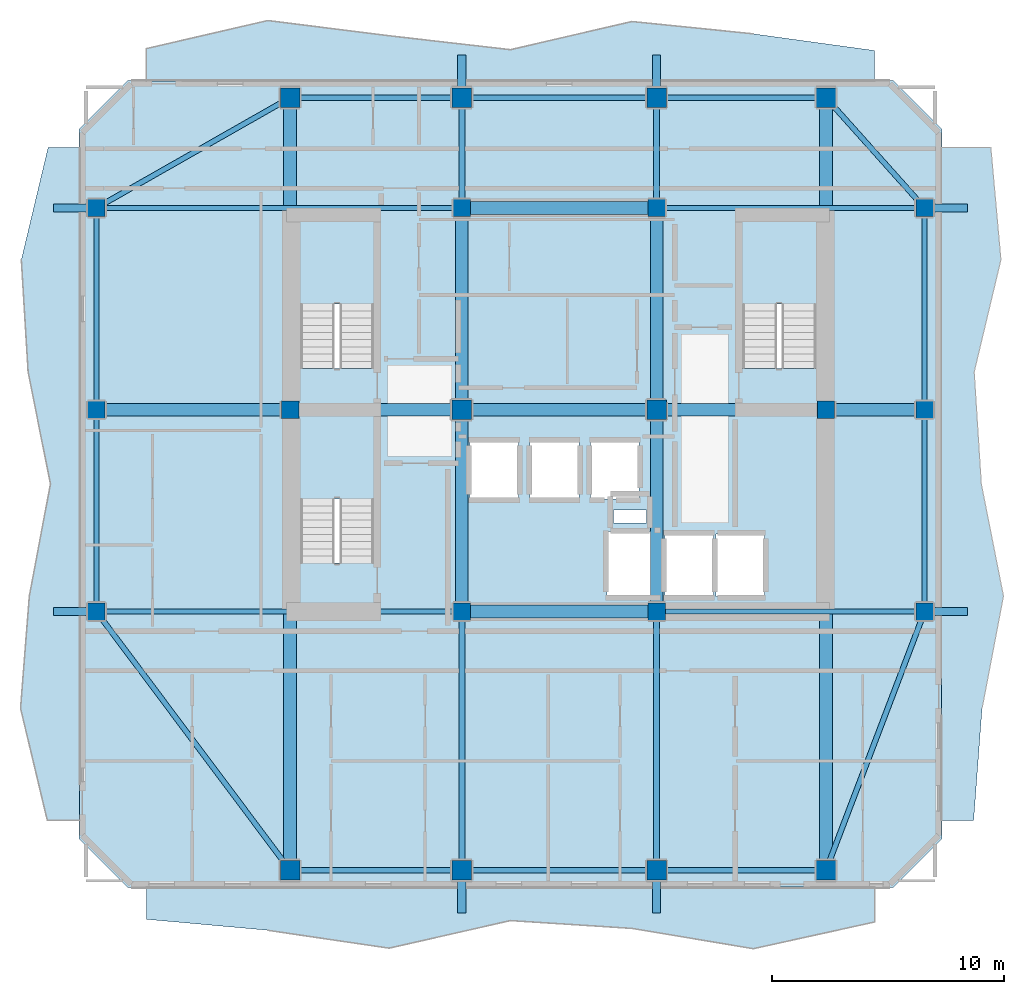
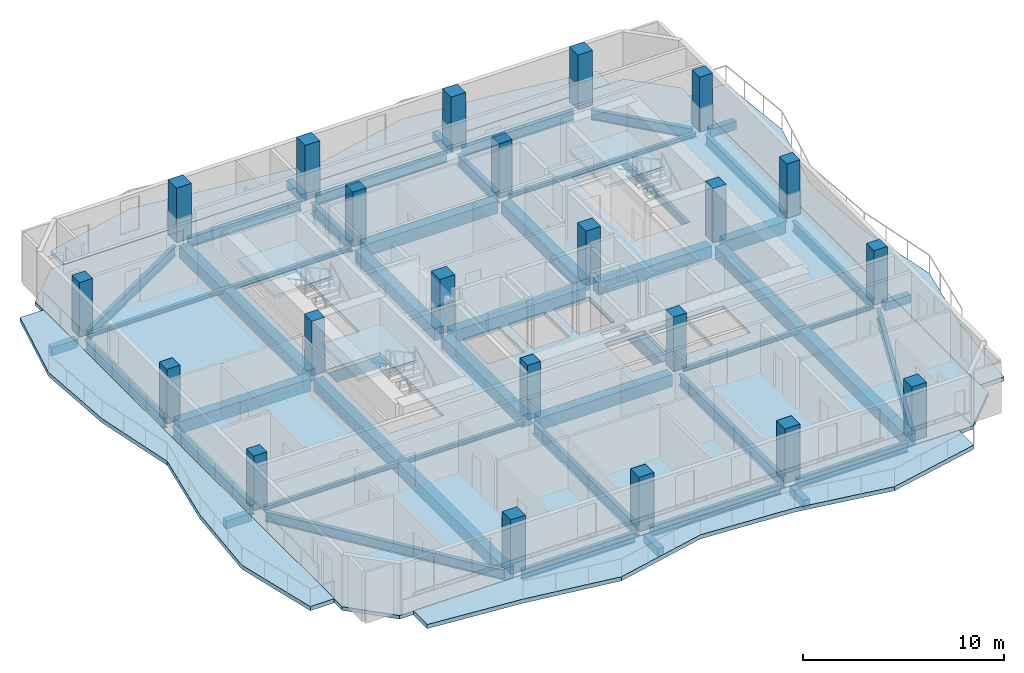
# One storey, part 1 of 10: 45 beams, 22 columns, 8 slabs, 3 elements without a shape of their own.
"""IFC4 building model written with IfcOpenShell, lengths in metres."""

from ifc_helpers import new_model, si_unit, direction, frame, origin, origin_2d, place, context, subcontext, project, spatial, polyline, rectangle, i_section, outline, extrude, material, layer, layer_set, material_profile, profile_set, type_object, element, aggregate, save


model = new_model("IFC4")

# Units and contexts
model_context = context("Model", 3, precision=1e-05, world=origin(), true_north=direction((0.0, 1.0)))
body_context = subcontext(model_context, "Body", "Model", "MODEL_VIEW")
ifc_project = project(units=[si_unit("LENGTHUNIT", "METRE"), si_unit("AREAUNIT", "SQUARE_METRE"), si_unit("VOLUMEUNIT", "CUBIC_METRE"), si_unit("PLANEANGLEUNIT", "RADIAN"), si_unit("MASSUNIT", "GRAM", prefix="KILO")], contexts=[model_context])

# Site, building, storey
site_placement = place(None, origin())
site = spatial("IfcSite", under=ifc_project, at=site_placement, CompositionType="ELEMENT")
building_placement = place(site_placement, origin())
building = spatial("IfcBuilding", under=site, at=building_placement, Name="Solanera Arch Residences", CompositionType="ELEMENT")
storey_placement = place(building_placement, frame((0.0, 0.0, 196.800048828125)))
storey = spatial("IfcBuildingStorey", under=building, at=storey_placement, Name="L57", CompositionType="ELEMENT", Elevation=196.800048828125)

# Columns
ifc_material_1 = material(Name="Concrete C40/50 (f'c = 45 MPa)", Category="concrete")
ifc_material_profile_1 = material_profile(ifc_material_1, rectangle(XDim=0.75, YDim=0.75, at=origin_2d()))
ifc_profile_set_1 = profile_set([ifc_material_profile_1], Name="Concrete C40/50 (f'c = 45 MPa)")
column_type_1 = type_object("IfcColumnType", Name="Structural Column RC-COL-750X750", PredefinedType="COLUMN", material=ifc_profile_set_1)
for number, where, z_axis, x_axis, name in (
    (1, (20.800048828125, 22.0, 0.0), (0.0, 0.0, 1.0), (1.0, 0.0, 0.0), "COL-L57-CB-SW"),
    (2, (29.199951171875, 22.0, 0.0), (0.0, 0.0, 1.0), (1.0, 0.0, 0.0), "COL-L57-CB-SE"),
    (3, (20.800048828125, 39.39990234375, 0.0), (0.0, 0.0, 1.0), (1.0, 0.0, 0.0), "COL-L57-CB-NW"),
    (4, (29.199951171875, 39.39990234375, 0.0), (0.0, 0.0, 1.0), (1.0, 0.0, 0.0), "COL-L57-CB-NE"),
    (5, (13.39990234375, 30.699951171875, 0.0), (0.0, 0.0, 1.0), (1.0, 0.0, 0.0), "COL-L57-CB-WW"),
    (6, (36.5, 30.699951171875, 0.0), (0.0, 0.0, 1.0), (1.0, 0.0, 0.0), "COL-L57-CB-EE"),
    (7, (5.050048828125, 22.0, 0.0), (0.0, 0.0, 1.0), (1.0, 0.0, 0.0), "COL-L57-TWR-09"),
    (8, (40.75, 22.0, 0.0), (0.0, 0.0, 1.0), (1.0, 0.0, 0.0), "COL-L57-TWR-10"),
    (9, (5.050048828125, 30.699951171875, 0.0), (0.0, 0.0, 1.0), (1.0, 0.0, 0.0), "COL-L57-TWR-11"),
    (10, (40.75, 30.699951171875, 0.0), (0.0, 0.0, 1.0), (1.0, 0.0, 0.0), "COL-L57-TWR-12"),
    (11, (5.050048828125, 39.39990234375, 0.0), (0.0, 0.0, 1.0), (1.0, 0.0, 0.0), "COL-L57-TWR-13"),
    (12, (40.75, 39.39990234375, 0.0), (0.0, 0.0, 1.0), (1.0, 0.0, 0.0), "COL-L57-TWR-14"),
):
    element("IfcColumn", number, at=place(storey_placement, frame(where, z_axis=z_axis, x_axis=x_axis)), inside=storey, type_object=column_type_1, Name=name, PredefinedType="COLUMN", context=body_context, shape_type="SweptSolid", body=[
        extrude(rectangle(XDim=0.75, YDim=0.75, at=origin_2d()), origin(), (0.0, 0.0, 1.0), 3.320068359375),
    ])
ifc_material_2 = material(Name="Concrete C40/50 (f'c = 45 MPa)", Category="concrete")
ifc_material_profile_2 = material_profile(ifc_material_2, rectangle(XDim=0.85009765625, YDim=0.85009765625, at=origin_2d()))
ifc_profile_set_2 = profile_set([ifc_material_profile_2], Name="Concrete C40/50 (f'c = 45 MPa)")
column_type_2 = type_object("IfcColumnType", Name="Structural Column RC-COL-850X850", PredefinedType="COLUMN", material=ifc_profile_set_2)
for number, where, z_axis, x_axis, name in (
    (13, (20.800048828125, 30.699951171875, 0.0), (0.0, 0.0, 1.0), (1.0, 0.0, 0.0), "COL-L57-CORE-W"),
    (14, (29.199951171875, 30.699951171875, 0.0), (0.0, 0.0, 1.0), (1.0, 0.0, 0.0), "COL-L57-CORE-E"),
    (15, (13.39990234375, 10.85009765625, 0.0), (0.0, 0.0, 1.0), (1.0, 0.0, 0.0), "COL-L57-TWR-01"),
    (16, (13.39990234375, 44.14990234375, 0.0), (0.0, 0.0, 1.0), (1.0, 0.0, 0.0), "COL-L57-TWR-02"),
    (17, (20.800048828125, 10.85009765625, 0.0), (0.0, 0.0, 1.0), (1.0, 0.0, 0.0), "COL-L57-TWR-03"),
    (18, (20.800048828125, 44.14990234375, 0.0), (0.0, 0.0, 1.0), (1.0, 0.0, 0.0), "COL-L57-TWR-04"),
    (19, (29.199951171875, 10.85009765625, 0.0), (0.0, 0.0, 1.0), (1.0, 0.0, 0.0), "COL-L57-TWR-05"),
    (20, (29.199951171875, 44.14990234375, 0.0), (0.0, 0.0, 1.0), (1.0, 0.0, 0.0), "COL-L57-TWR-06"),
    (21, (36.5, 10.85009765625, 0.0), (0.0, 0.0, 1.0), (1.0, 0.0, 0.0), "COL-L57-TWR-07"),
    (22, (36.5, 44.14990234375, 0.0), (0.0, 0.0, 1.0), (1.0, 0.0, 0.0), "COL-L57-TWR-08"),
):
    element("IfcColumn", number, at=place(storey_placement, frame(where, z_axis=z_axis, x_axis=x_axis)), inside=storey, type_object=column_type_2, Name=name, PredefinedType="COLUMN", context=body_context, shape_type="SweptSolid", body=[
        extrude(rectangle(XDim=0.85009765625, YDim=0.85009765625, at=origin_2d()), origin(), (0.0, 0.0, 1.0), 3.320068359375),
    ])

# Beams
ifc_material_3 = material(Name="Concrete C40/50 (f'c = 45 MPa)", Category="concrete")
ifc_material_profile_3 = material_profile(ifc_material_3, rectangle(XDim=0.35009765625, YDim=0.5, at=origin_2d()))
ifc_profile_set_3 = profile_set([ifc_material_profile_3], Name="Concrete C40/50 (f'c = 45 MPa)")
beam_type_1 = type_object("IfcBeamType", Name="BM-BALC-RIB", PredefinedType="BEAM", material=ifc_profile_set_3)
for number, where, z_axis, x_axis, name in (
    (23, (20.800048828125, 9.0, -0.5), (0.0, 1.0, 0.0), (-1.0, 0.0, 0.0), "BM-L57-BRIB-S1"),
    (24, (29.199951171875, 9.0, -0.5), (0.0, 1.0, 0.0), (-1.0, 0.0, 0.0), "BM-L57-BRIB-S2"),
    (25, (20.800048828125, 44.574951171875, -0.5), (0.0, 1.0, 0.0), (-1.0, 0.0, 0.0), "BM-L57-BRIB-N1"),
    (26, (29.199951171875, 44.574951171875, -0.5), (0.0, 1.0, 0.0), (-1.0, 0.0, 0.0), "BM-L57-BRIB-N2"),
):
    element("IfcBeam", number, at=place(storey_placement, frame(where, z_axis=z_axis, x_axis=x_axis)), inside=storey, type_object=beam_type_1, Name=name, PredefinedType="BEAM", context=body_context, shape_type="SweptSolid", body=[
        extrude(rectangle(XDim=0.35009765625, YDim=0.5, at=origin_2d()), origin(), (0.0, 0.0, 1.0), 1.425048828125),
    ])
for number, where, z_axis, x_axis, name in (
    (27, (41.125, 22.0, -0.5), (1.0, 0.0, 0.0), (0.0, 1.0, 0.0), "BM-L57-BRIB-E1"),
    (28, (41.125, 39.39990234375, -0.5), (1.0, 0.0, 0.0), (0.0, 1.0, 0.0), "BM-L57-BRIB-E2"),
    (29, (3.199951171875, 22.0, -0.5), (1.0, 0.0, 0.0), (0.0, 1.0, 0.0), "BM-L57-BRIB-W1"),
    (30, (3.199951171875, 39.39990234375, -0.5), (1.0, 0.0, 0.0), (0.0, 1.0, 0.0), "BM-L57-BRIB-W2"),
):
    element("IfcBeam", number, at=place(storey_placement, frame(where, z_axis=z_axis, x_axis=x_axis)), inside=storey, type_object=beam_type_1, Name=name, PredefinedType="BEAM", context=body_context, shape_type="SweptSolid", body=[
        extrude(rectangle(XDim=0.35009765625, YDim=0.5, at=origin_2d()), origin(), (0.0, 0.0, 1.0), 1.47509765625),
    ])
ifc_material_4 = material(Name="Concrete C40/50 (f'c = 45 MPa)", Category="concrete")
ifc_material_profile_4 = material_profile(ifc_material_4, rectangle(XDim=0.550048828125, YDim=0.75, at=origin_2d()))
ifc_profile_set_4 = profile_set([ifc_material_profile_4], Name="Concrete C40/50 (f'c = 45 MPa)")
beam_type_2 = type_object("IfcBeamType", Name="Primary Beam RC-BM-550X750", PredefinedType="BEAM", material=ifc_profile_set_4)
beam_1_placement = place(storey_placement, frame((20.800048828125, 22.37890625, -0.594970703125), z_axis=(0.0, 1.0, 0.0), x_axis=(-1.0, 0.0, 0.0)))
element("IfcBeam", 31, at=beam_1_placement, inside=storey, type_object=beam_type_2, Name="BM-L57-CC-S-208", PredefinedType="BEAM", context=body_context, shape_type="SweptSolid", body=[
    extrude(rectangle(XDim=0.550048828125, YDim=0.75, at=origin_2d()), origin(), (0.0, 0.0, 1.0), 7.942138671875),
])
beam_2_placement = place(storey_placement, frame((20.800048828125, 31.0791015625, -0.594970703125), z_axis=(0.0, 1.0, 0.0), x_axis=(-1.0, 0.0, 0.0)))
element("IfcBeam", 32, at=beam_2_placement, inside=storey, type_object=beam_type_2, Name="BM-L57-CC-N-208", PredefinedType="BEAM", context=body_context, shape_type="SweptSolid", body=[
    extrude(rectangle(XDim=0.550048828125, YDim=0.75, at=origin_2d()), origin(), (0.0, 0.0, 1.0), 7.94189453125),
])
beam_3_placement = place(storey_placement, frame((29.199951171875, 22.37890625, -0.594970703125), z_axis=(0.0, 1.0, 0.0), x_axis=(-1.0, 0.0, 0.0)))
element("IfcBeam", 33, at=beam_3_placement, inside=storey, type_object=beam_type_2, Name="BM-L57-CC-S-292", PredefinedType="BEAM", context=body_context, shape_type="SweptSolid", body=[
    extrude(rectangle(XDim=0.550048828125, YDim=0.75, at=origin_2d()), origin(), (0.0, 0.0, 1.0), 7.942138671875),
])
beam_4_placement = place(storey_placement, frame((29.199951171875, 31.0791015625, -0.594970703125), z_axis=(0.0, 1.0, 0.0), x_axis=(-1.0, 0.0, 0.0)))
element("IfcBeam", 34, at=beam_4_placement, inside=storey, type_object=beam_type_2, Name="BM-L57-CC-N-292", PredefinedType="BEAM", context=body_context, shape_type="SweptSolid", body=[
    extrude(rectangle(XDim=0.550048828125, YDim=0.75, at=origin_2d()), origin(), (0.0, 0.0, 1.0), 7.94189453125),
])
for number, where, z_axis, x_axis, name in (
    (35, (21.178955078125, 22.0, -0.594970703125), (1.0, 0.0, 0.0), (0.0, 1.0, 0.0), "BM-L57-CC-M-220"),
    (36, (21.178955078125, 30.699951171875, -0.594970703125), (1.0, 0.0, 0.0), (0.0, 1.0, 0.0), "BM-L57-CC-M-307"),
    (37, (21.178955078125, 39.39990234375, -0.594970703125), (1.0, 0.0, 0.0), (0.0, 1.0, 0.0), "BM-L57-CC-M-394"),
):
    element("IfcBeam", number, at=place(storey_placement, frame(where, z_axis=z_axis, x_axis=x_axis)), inside=storey, type_object=beam_type_2, Name=name, PredefinedType="BEAM", context=body_context, shape_type="SweptSolid", body=[
        extrude(rectangle(XDim=0.550048828125, YDim=0.75, at=origin_2d()), origin(), (0.0, 0.0, 1.0), 7.64208984375),
    ])
beam_5_placement = place(storey_placement, frame((13.779052734375, 30.699951171875, -0.594970703125), z_axis=(1.0, 0.0, 0.0), x_axis=(0.0, 1.0, 0.0)))
element("IfcBeam", 38, at=beam_5_placement, inside=storey, type_object=beam_type_2, Name="BM-L57-CC-W", PredefinedType="BEAM", context=body_context, shape_type="SweptSolid", body=[
    extrude(rectangle(XDim=0.550048828125, YDim=0.75, at=origin_2d()), origin(), (0.0, 0.0, 1.0), 6.641845703125),
])
beam_6_placement = place(storey_placement, frame((29.5791015625, 30.699951171875, -0.594970703125), z_axis=(1.0, 0.0, 0.0), x_axis=(0.0, 1.0, 0.0)))
element("IfcBeam", 39, at=beam_6_placement, inside=storey, type_object=beam_type_2, Name="BM-L57-CC-E", PredefinedType="BEAM", context=body_context, shape_type="SweptSolid", body=[
    extrude(rectangle(XDim=0.550048828125, YDim=0.75, at=origin_2d()), origin(), (0.0, 0.0, 1.0), 6.5419921875),
])
beam_7_placement = place(storey_placement, frame((13.39990234375, 11.279052734375, -0.594970703125), z_axis=(0.0, 1.0, 0.0), x_axis=(-1.0, 0.0, 0.0)))
element("IfcBeam", 40, at=beam_7_placement, inside=storey, type_object=beam_type_2, Name="BM-L57-RAD-OS-134", PredefinedType="BEAM", context=body_context, shape_type="SweptSolid", body=[
    extrude(rectangle(XDim=0.550048828125, YDim=0.75, at=origin_2d()), origin(), (0.0, 0.0, 1.0), 19.0419921875),
])
beam_8_placement = place(storey_placement, frame((13.39990234375, 31.0791015625, -0.594970703125), z_axis=(0.0, 1.0, 0.0), x_axis=(-1.0, 0.0, 0.0)))
element("IfcBeam", 41, at=beam_8_placement, inside=storey, type_object=beam_type_2, Name="BM-L57-RAD-ON-134", PredefinedType="BEAM", context=body_context, shape_type="SweptSolid", body=[
    extrude(rectangle(XDim=0.550048828125, YDim=0.75, at=origin_2d()), origin(), (0.0, 0.0, 1.0), 12.641845703125),
])
beam_9_placement = place(storey_placement, frame((36.5, 11.279052734375, -0.594970703125), z_axis=(0.0, 1.0, 0.0), x_axis=(-1.0, 0.0, 0.0)))
element("IfcBeam", 42, at=beam_9_placement, inside=storey, type_object=beam_type_2, Name="BM-L57-RAD-OS-365", PredefinedType="BEAM", context=body_context, shape_type="SweptSolid", body=[
    extrude(rectangle(XDim=0.550048828125, YDim=0.75, at=origin_2d()), origin(), (0.0, 0.0, 1.0), 19.0419921875),
])
beam_10_placement = place(storey_placement, frame((36.5, 31.0791015625, -0.594970703125), z_axis=(0.0, 1.0, 0.0), x_axis=(-1.0, 0.0, 0.0)))
element("IfcBeam", 43, at=beam_10_placement, inside=storey, type_object=beam_type_2, Name="BM-L57-RAD-ON-365", PredefinedType="BEAM", context=body_context, shape_type="SweptSolid", body=[
    extrude(rectangle(XDim=0.550048828125, YDim=0.75, at=origin_2d()), origin(), (0.0, 0.0, 1.0), 12.641845703125),
])
beam_11_placement = place(storey_placement, frame((5.428955078125, 30.699951171875, -0.594970703125), z_axis=(1.0, 0.0, 0.0), x_axis=(0.0, 1.0, 0.0)))
element("IfcBeam", 44, at=beam_11_placement, inside=storey, type_object=beam_type_2, Name="BM-L57-RAD-MW", PredefinedType="BEAM", context=body_context, shape_type="SweptSolid", body=[
    extrude(rectangle(XDim=0.550048828125, YDim=0.75, at=origin_2d()), origin(), (0.0, 0.0, 1.0), 7.592041015625),
])
beam_12_placement = place(storey_placement, frame((36.87890625, 30.699951171875, -0.594970703125), z_axis=(1.0, 0.0, 0.0), x_axis=(0.0, 1.0, 0.0)))
element("IfcBeam", 45, at=beam_12_placement, inside=storey, type_object=beam_type_2, Name="BM-L57-RAD-ME", PredefinedType="BEAM", context=body_context, shape_type="SweptSolid", body=[
    extrude(rectangle(XDim=0.550048828125, YDim=0.75, at=origin_2d()), origin(), (0.0, 0.0, 1.0), 3.4921875),
])
ifc_material_5 = material(Name="Steel S355 (ASTM A992 / A572 Grade 50)", Category="steel")
ifc_material_profile_5 = material_profile(ifc_material_5, i_section(OverallWidth=0.256103515625, OverallDepth=0.693115234375, WebThickness=0.014404296875, FlangeThickness=0.023681640625, at=origin_2d()))
ifc_profile_set_5 = profile_set([ifc_material_profile_5], Name="Steel S355 (ASTM A992 / A572 Grade 50)")
beam_type_3 = type_object("IfcBeamType", Name="Primary Beam W690X170", PredefinedType="BEAM", material=ifc_profile_set_5)
beam_13_placement = place(storey_placement, frame((20.800048828125, 11.279052734375, -0.566162109375), z_axis=(0.0, 1.0, 0.0), x_axis=(-1.0, 0.0, 0.0)))
element("IfcBeam", 46, at=beam_13_placement, inside=storey, type_object=beam_type_3, Name="BM-L57-RAD-S-208", PredefinedType="BEAM", context=body_context, shape_type="SweptSolid", body=[
    extrude(i_section(OverallWidth=0.256103515625, OverallDepth=0.693115234375, WebThickness=0.014404296875, FlangeThickness=0.023681640625, at=origin_2d()), origin(), (0.0, 0.0, 1.0), 10.342041015625),
])
beam_14_placement = place(storey_placement, frame((20.800048828125, 39.779052734375, -0.566162109375), z_axis=(0.0, 1.0, 0.0), x_axis=(-1.0, 0.0, 0.0)))
element("IfcBeam", 47, at=beam_14_placement, inside=storey, type_object=beam_type_3, Name="BM-L57-RAD-N-208", PredefinedType="BEAM", context=body_context, shape_type="SweptSolid", body=[
    extrude(i_section(OverallWidth=0.256103515625, OverallDepth=0.693115234375, WebThickness=0.014404296875, FlangeThickness=0.023681640625, at=origin_2d()), origin(), (0.0, 0.0, 1.0), 3.94189453125),
])
beam_15_placement = place(storey_placement, frame((29.199951171875, 11.279052734375, -0.566162109375), z_axis=(0.0, 1.0, 0.0), x_axis=(-1.0, 0.0, 0.0)))
element("IfcBeam", 48, at=beam_15_placement, inside=storey, type_object=beam_type_3, Name="BM-L57-RAD-S-292", PredefinedType="BEAM", context=body_context, shape_type="SweptSolid", body=[
    extrude(i_section(OverallWidth=0.256103515625, OverallDepth=0.693115234375, WebThickness=0.014404296875, FlangeThickness=0.023681640625, at=origin_2d()), origin(), (0.0, 0.0, 1.0), 10.342041015625),
])
beam_16_placement = place(storey_placement, frame((29.199951171875, 39.779052734375, -0.566162109375), z_axis=(0.0, 1.0, 0.0), x_axis=(-1.0, 0.0, 0.0)))
element("IfcBeam", 49, at=beam_16_placement, inside=storey, type_object=beam_type_3, Name="BM-L57-RAD-N-292", PredefinedType="BEAM", context=body_context, shape_type="SweptSolid", body=[
    extrude(i_section(OverallWidth=0.256103515625, OverallDepth=0.693115234375, WebThickness=0.014404296875, FlangeThickness=0.023681640625, at=origin_2d()), origin(), (0.0, 0.0, 1.0), 3.94189453125),
])
ifc_material_6 = material(Name="Steel S355 (ASTM A992 / A572 Grade 50)", Category="steel")
ifc_material_profile_6 = material_profile(ifc_material_6, i_section(OverallWidth=0.201904296875, OverallDepth=0.2470703125, WebThickness=0.00732421875, FlangeThickness=0.010986328125, at=origin_2d()))
ifc_profile_set_6 = profile_set([ifc_material_profile_6], Name="Steel S355 (ASTM A992 / A572 Grade 50)")
beam_type_4 = type_object("IfcBeamType", Name="Secondary Joist W250X49.1", PredefinedType="JOIST", material=ifc_profile_set_6)
beam_17_placement = place(storey_placement, frame((5.428955078125, 22.0, -0.343017578125), z_axis=(1.0, 0.0, 0.0), x_axis=(0.0, 1.0, 0.0)))
element("IfcBeam", 50, at=beam_17_placement, inside=storey, type_object=beam_type_4, Name="BM-L57-RAD-W-220", PredefinedType="JOIST", context=body_context, shape_type="SweptSolid", body=[
    extrude(i_section(OverallWidth=0.201904296875, OverallDepth=0.2470703125, WebThickness=0.00732421875, FlangeThickness=0.010986328125, at=origin_2d()), origin(), (0.0, 0.0, 1.0), 14.991943359375),
])
beam_18_placement = place(storey_placement, frame((29.5791015625, 22.0, -0.343017578125), z_axis=(1.0, 0.0, 0.0), x_axis=(0.0, 1.0, 0.0)))
element("IfcBeam", 51, at=beam_18_placement, inside=storey, type_object=beam_type_4, Name="BM-L57-RAD-E-220", PredefinedType="JOIST", context=body_context, shape_type="SweptSolid", body=[
    extrude(i_section(OverallWidth=0.201904296875, OverallDepth=0.2470703125, WebThickness=0.00732421875, FlangeThickness=0.010986328125, at=origin_2d()), origin(), (0.0, 0.0, 1.0), 10.7919921875),
])
beam_19_placement = place(storey_placement, frame((5.428955078125, 39.39990234375, -0.343017578125), z_axis=(1.0, 0.0, 0.0), x_axis=(0.0, 1.0, 0.0)))
element("IfcBeam", 52, at=beam_19_placement, inside=storey, type_object=beam_type_4, Name="BM-L57-RAD-W-394", PredefinedType="JOIST", context=body_context, shape_type="SweptSolid", body=[
    extrude(i_section(OverallWidth=0.201904296875, OverallDepth=0.2470703125, WebThickness=0.00732421875, FlangeThickness=0.010986328125, at=origin_2d()), origin(), (0.0, 0.0, 1.0), 14.991943359375),
])
beam_20_placement = place(storey_placement, frame((29.5791015625, 39.39990234375, -0.343017578125), z_axis=(1.0, 0.0, 0.0), x_axis=(0.0, 1.0, 0.0)))
element("IfcBeam", 53, at=beam_20_placement, inside=storey, type_object=beam_type_4, Name="BM-L57-RAD-E-394", PredefinedType="JOIST", context=body_context, shape_type="SweptSolid", body=[
    extrude(i_section(OverallWidth=0.201904296875, OverallDepth=0.2470703125, WebThickness=0.00732421875, FlangeThickness=0.010986328125, at=origin_2d()), origin(), (0.0, 0.0, 1.0), 10.7919921875),
])
ifc_material_7 = material(Name="Steel S355 (ASTM A992 / A572 Grade 50)", Category="steel")
ifc_material_profile_7 = material_profile(ifc_material_7, i_section(OverallWidth=0.22802734375, OverallDepth=0.60791015625, WebThickness=0.01123046875, FlangeThickness=0.017333984375, at=origin_2d()))
ifc_profile_set_7 = profile_set([ifc_material_profile_7], Name="Steel S355 (ASTM A992 / A572 Grade 50)")
beam_type_5 = type_object("IfcBeamType", Name="Spandrel Beam W610X113", PredefinedType="SPANDREL", material=ifc_profile_set_7)
for number, where, z_axis, x_axis, name in (
    (54, (13.8291015625, 10.85009765625, -0.524169921875), (1.0, 0.0, 0.0), (0.0, 1.0, 0.0), "BM-L57-SPN-S-1"),
    (55, (13.8291015625, 44.14990234375, -0.524169921875), (1.0, 0.0, 0.0), (0.0, 1.0, 0.0), "BM-L57-SPN-N-1"),
):
    element("IfcBeam", number, at=place(storey_placement, frame(where, z_axis=z_axis, x_axis=x_axis)), inside=storey, type_object=beam_type_5, Name=name, PredefinedType="SPANDREL", context=body_context, shape_type="SweptSolid", body=[
        extrude(i_section(OverallWidth=0.22802734375, OverallDepth=0.60791015625, WebThickness=0.01123046875, FlangeThickness=0.017333984375, at=origin_2d()), origin(), (0.0, 0.0, 1.0), 6.5419921875),
    ])
for number, where, z_axis, x_axis, name in (
    (56, (21.22900390625, 10.85009765625, -0.524169921875), (1.0, 0.0, 0.0), (0.0, 1.0, 0.0), "BM-L57-SPN-S-2"),
    (57, (21.22900390625, 44.14990234375, -0.524169921875), (1.0, 0.0, 0.0), (0.0, 1.0, 0.0), "BM-L57-SPN-N-2"),
):
    element("IfcBeam", number, at=place(storey_placement, frame(where, z_axis=z_axis, x_axis=x_axis)), inside=storey, type_object=beam_type_5, Name=name, PredefinedType="SPANDREL", context=body_context, shape_type="SweptSolid", body=[
        extrude(i_section(OverallWidth=0.22802734375, OverallDepth=0.60791015625, WebThickness=0.01123046875, FlangeThickness=0.017333984375, at=origin_2d()), origin(), (0.0, 0.0, 1.0), 7.5419921875),
    ])
for number, where, z_axis, x_axis, name in (
    (58, (29.62890625, 10.85009765625, -0.524169921875), (1.0, 0.0, 0.0), (0.0, 1.0, 0.0), "BM-L57-SPN-S-3"),
    (59, (29.62890625, 44.14990234375, -0.524169921875), (1.0, 0.0, 0.0), (0.0, 1.0, 0.0), "BM-L57-SPN-N-3"),
):
    element("IfcBeam", number, at=place(storey_placement, frame(where, z_axis=z_axis, x_axis=x_axis)), inside=storey, type_object=beam_type_5, Name=name, PredefinedType="SPANDREL", context=body_context, shape_type="SweptSolid", body=[
        extrude(i_section(OverallWidth=0.22802734375, OverallDepth=0.60791015625, WebThickness=0.01123046875, FlangeThickness=0.017333984375, at=origin_2d()), origin(), (0.0, 0.0, 1.0), 6.442138671875),
    ])
for number, where, z_axis, x_axis, name in (
    (60, (5.050048828125, 22.37890625, -0.524169921875), (0.0, 1.0, 0.0), (-1.0, 0.0, 0.0), "BM-L57-SPN-W-1"),
    (61, (40.75, 22.37890625, -0.524169921875), (0.0, 1.0, 0.0), (-1.0, 0.0, 0.0), "BM-L57-SPN-E-1"),
):
    element("IfcBeam", number, at=place(storey_placement, frame(where, z_axis=z_axis, x_axis=x_axis)), inside=storey, type_object=beam_type_5, Name=name, PredefinedType="SPANDREL", context=body_context, shape_type="SweptSolid", body=[
        extrude(i_section(OverallWidth=0.22802734375, OverallDepth=0.60791015625, WebThickness=0.01123046875, FlangeThickness=0.017333984375, at=origin_2d()), origin(), (0.0, 0.0, 1.0), 7.942138671875),
    ])
for number, where, z_axis, x_axis, name in (
    (62, (5.050048828125, 31.0791015625, -0.524169921875), (0.0, 1.0, 0.0), (-1.0, 0.0, 0.0), "BM-L57-SPN-W-2"),
    (63, (40.75, 31.0791015625, -0.524169921875), (0.0, 1.0, 0.0), (-1.0, 0.0, 0.0), "BM-L57-SPN-E-2"),
):
    element("IfcBeam", number, at=place(storey_placement, frame(where, z_axis=z_axis, x_axis=x_axis)), inside=storey, type_object=beam_type_5, Name=name, PredefinedType="SPANDREL", context=body_context, shape_type="SweptSolid", body=[
        extrude(i_section(OverallWidth=0.22802734375, OverallDepth=0.60791015625, WebThickness=0.01123046875, FlangeThickness=0.017333984375, at=origin_2d()), origin(), (0.0, 0.0, 1.0), 7.94189453125),
    ])
beam_21_placement = place(storey_placement, frame((13.0791015625, 11.278076171875, -0.524169921875), z_axis=(-0.599410401798, 0.80044185936, 0.0), x_axis=(-0.80044185936, -0.599410401798, 0.0)))
element("IfcBeam", 64, at=beam_21_placement, inside=storey, type_object=beam_type_5, Name="BM-L57-SPN-SW", PredefinedType="SPANDREL", context=body_context, shape_type="SweptSolid", body=[
    extrude(i_section(OverallWidth=0.22802734375, OverallDepth=0.60791015625, WebThickness=0.01123046875, FlangeThickness=0.017333984375, at=origin_2d()), origin(), (0.0, 0.0, 1.0), 12.9228515625),
])
beam_22_placement = place(storey_placement, frame((12.971923828125, 43.906005859375, -0.524169921875), z_axis=(-0.869224697454, -0.494417258332, 0.0), x_axis=(0.494417258332, -0.869224697454, 0.0)))
element("IfcBeam", 65, at=beam_22_placement, inside=storey, type_object=beam_type_5, Name="BM-L57-SPN-NW", PredefinedType="SPANDREL", context=body_context, shape_type="SweptSolid", body=[
    extrude(i_section(OverallWidth=0.22802734375, OverallDepth=0.60791015625, WebThickness=0.01123046875, FlangeThickness=0.017333984375, at=origin_2d()), origin(), (0.0, 0.0, 1.0), 8.678955078125),
])
beam_23_placement = place(storey_placement, frame((36.6630859375, 11.279052734375, -0.524169921875), z_axis=(0.356235638105, 0.93439615268, 0.0), x_axis=(-0.93439615268, 0.356235638105, 0.0)))
element("IfcBeam", 66, at=beam_23_placement, inside=storey, type_object=beam_type_5, Name="BM-L57-SPN-SE", PredefinedType="SPANDREL", context=body_context, shape_type="SweptSolid", body=[
    extrude(i_section(OverallWidth=0.22802734375, OverallDepth=0.60791015625, WebThickness=0.01123046875, FlangeThickness=0.017333984375, at=origin_2d()), origin(), (0.0, 0.0, 1.0), 11.068115234375),
])
beam_24_placement = place(storey_placement, frame((36.860107421875, 43.748046875, -0.524169921875), z_axis=(0.66678682148, -0.745248505333, 0.0), x_axis=(0.745248505333, 0.66678682148, 0.0)))
element("IfcBeam", 67, at=beam_24_placement, inside=storey, type_object=beam_type_5, Name="BM-L57-SPN-NE", PredefinedType="SPANDREL", context=body_context, shape_type="SweptSolid", body=[
    extrude(i_section(OverallWidth=0.22802734375, OverallDepth=0.60791015625, WebThickness=0.01123046875, FlangeThickness=0.017333984375, at=origin_2d()), origin(), (0.0, 0.0, 1.0), 5.3271484375),
])

# Slabs
ifc_material_8 = material(Name="Concrete C40/50 (f'c = 45 MPa)", Category="concrete")
ifc_layer_1 = layer(ifc_material_8, 0.25)
ifc_layer_set_1 = layer_set([ifc_layer_1], Name="Concrete C40/50 (f'c = 45 MPa)")
slab_type_1 = type_object("IfcSlabType", Name="Balcony Slab 250", PredefinedType="FLOOR", material=ifc_layer_set_1)
slab_1_placement = place(storey_placement, frame((0.0, 0.0, -0.25)))
element("IfcSlab", 68, at=slab_1_placement, inside=storey, type_object=slab_type_1, Name="L57 S Rippling Brise-Soleil Balcony Slab", PredefinedType="FLOOR", context=body_context, shape_type="SweptSolid", body=[
    extrude(outline(polyline([(7.199951171875, 8.73388671875), (12.43310546875, 8.261962890625), (17.6669921875, 7.490966796875), (22.89990234375, 8.680908203125), (28.133056640625, 8.343994140625), (33.366943359375, 7.468017578125), (38.60009765625, 8.62109375), (38.60009765625, 10.1201171875), (7.199951171875, 10.1201171875), (7.199951171875, 8.73388671875)])), origin(), (0.0, 0.0, 1.0), 0.25),
])
slab_2_placement = place(storey_placement, frame((0.0, 0.0, -0.25)))
element("IfcSlab", 69, at=slab_2_placement, inside=storey, type_object=slab_type_1, Name="L57 N Rippling Brise-Soleil Balcony Slab", PredefinedType="FLOOR", context=body_context, shape_type="SweptSolid", body=[
    extrude(outline(polyline([(38.60009765625, 46.18408203125), (33.366943359375, 46.905029296875), (28.133056640625, 47.43505859375), (22.89990234375, 46.220947265625), (17.6669921875, 46.821044921875), (12.43310546875, 47.47705078125), (7.199951171875, 46.26611328125), (7.199951171875, 44.8798828125), (38.60009765625, 44.8798828125), (38.60009765625, 46.18408203125)])), origin(), (0.0, 0.0, 1.0), 0.25),
])
slab_3_placement = place(storey_placement, frame((0.0, 0.0, -0.25)))
element("IfcSlab", 70, at=slab_3_placement, inside=storey, type_object=slab_type_1, Name="L57 E Rippling Brise-Soleil Balcony Slab", PredefinedType="FLOOR", context=body_context, shape_type="SweptSolid", body=[
    extrude(outline(polyline([(42.865966796875, 13.0), (43.22900390625, 17.8330078125), (44.14990234375, 22.6669921875), (43.194091796875, 27.5), (42.887939453125, 32.3330078125), (44.0400390625, 37.1669921875), (43.60595703125, 42.0), (41.47998046875, 42.0), (41.47998046875, 13.0), (42.865966796875, 13.0)])), origin(), (0.0, 0.0, 1.0), 0.25),
])
slab_4_placement = place(storey_placement, frame((0.0, 0.0, -0.25)))
element("IfcSlab", 71, at=slab_4_placement, inside=storey, type_object=slab_type_1, Name="L57 W Rippling Brise-Soleil Balcony Slab", PredefinedType="FLOOR", context=body_context, shape_type="SweptSolid", body=[
    extrude(outline(polyline([(2.965087890625, 42.0), (1.81396484375, 37.1669921875), (2.10595703125, 32.3330078125), (3.069091796875, 27.5), (2.157958984375, 22.6669921875), (1.780029296875, 17.8330078125), (2.93408203125, 13.0), (4.320068359375, 13.0), (4.320068359375, 42.0), (2.965087890625, 42.0)])), origin(), (0.0, 0.0, 1.0), 0.25),
])

# Stair, slab
ifc_material_9 = material(Name="Concrete C40/50 (f'c = 45 MPa)", Category="concrete")
stair_type = type_object("IfcStairType", Name="Tower Dogleg Exit Stair 1480", PredefinedType="HALF_TURN_STAIR", material=ifc_material_9)
stair_1_placement = place(storey_placement, origin())
stair_1 = element("IfcStair", 72, at=stair_1_placement, inside=storey, type_object=stair_type, Name="L57 Tower Core Exit Stair 1", PredefinedType="HALF_TURN_STAIR")
ifc_material_10 = material(Name="Concrete C40/50 (f'c = 45 MPa)", Category="concrete")
ifc_layer_2 = layer(ifc_material_10, 0.199951171875)
ifc_layer_set_2 = layer_set([ifc_layer_2], Name="Concrete C40/50 (f'c = 45 MPa)")
slab_type_2 = type_object("IfcSlabType", Name="Stair Half-Landing Slab 200", PredefinedType="LANDING", material=ifc_layer_set_2)
slab_5_placement = place(storey_placement, frame((0.0, 0.0, 1.4599609375)))
slab_5 = element("IfcSlab", 73, at=slab_5_placement, type_object=slab_type_2, Name="ST-T1 landing 1", PredefinedType="LANDING", context=body_context, shape_type="SweptSolid", body=[
    extrude(outline(polyline([(17.1201171875, 35.260009765625), (17.1201171875, 38.919921875), (13.719970703125, 38.919921875), (13.719970703125, 35.260009765625), (17.1201171875, 35.260009765625)])), origin(), (0.0, 0.0, 1.0), 0.199951171875),
])
aggregate(stair_1, [slab_5])

stair_2_placement = place(storey_placement, origin())
stair_2 = element("IfcStair", 74, at=stair_2_placement, inside=storey, type_object=stair_type, Name="L57 Tower Core Exit Stair 2", PredefinedType="HALF_TURN_STAIR")
slab_6_placement = place(storey_placement, frame((0.0, 0.0, 1.4599609375)))
slab_6 = element("IfcSlab", 75, at=slab_6_placement, type_object=slab_type_2, Name="ST-T2 landing 1", PredefinedType="LANDING", context=body_context, shape_type="SweptSolid", body=[
    extrude(outline(polyline([(36.179931640625, 35.260009765625), (36.179931640625, 38.919921875), (32.780029296875, 38.919921875), (32.780029296875, 35.260009765625), (36.179931640625, 35.260009765625)])), origin(), (0.0, 0.0, 1.0), 0.199951171875),
])
aggregate(stair_2, [slab_6])

stair_3_placement = place(storey_placement, origin())
stair_3 = element("IfcStair", 76, at=stair_3_placement, inside=storey, type_object=stair_type, Name="L57 Tower Core Exit Stair 3", PredefinedType="HALF_TURN_STAIR")
slab_7_placement = place(storey_placement, frame((0.0, 0.0, 1.4599609375)))
slab_7 = element("IfcSlab", 77, at=slab_7_placement, type_object=slab_type_2, Name="ST-T3 landing 1", PredefinedType="LANDING", context=body_context, shape_type="SweptSolid", body=[
    extrude(outline(polyline([(17.1201171875, 26.860107421875), (17.1201171875, 30.52001953125), (13.719970703125, 30.52001953125), (13.719970703125, 26.860107421875), (17.1201171875, 26.860107421875)])), origin(), (0.0, 0.0, 1.0), 0.199951171875),
])
aggregate(stair_3, [slab_7])

# Slab
ifc_material_11 = material(Name="Concrete C40/50 (f'c = 45 MPa)", Category="concrete")
ifc_layer_3 = layer(ifc_material_11, 0.219970703125)
ifc_layer_set_3 = layer_set([ifc_layer_3], Name="Concrete C40/50 (f'c = 45 MPa)")
slab_type_3 = type_object("IfcSlabType", Name="Suspended Floor Slab Post-Tensioned 220", PredefinedType="FLOOR", material=ifc_layer_set_3)
slab_8_placement = place(storey_placement, frame((0.0, 0.0, -0.219970703125)))
element("IfcSlab", 78, at=slab_8_placement, inside=storey, type_object=slab_type_3, Name="L57 Tower Post-Tensioned Floor Slab", PredefinedType="FLOOR", context=body_context, shape_type="SweptSolid", body=[
    extrude(outline(polyline([(6.39990234375, 10.10009765625), (39.39990234375, 10.10009765625), (41.5, 12.199951171875), (41.5, 42.800048828125), (39.39990234375, 44.89990234375), (6.39990234375, 44.89990234375), (4.300048828125, 42.800048828125), (4.300048828125, 12.199951171875), (6.39990234375, 10.10009765625)]), holes=[polyline([(13.840087890625, 32.48291015625), (13.840087890625, 38.800048828125), (17.0, 38.800048828125), (17.0, 32.48291015625), (13.840087890625, 32.48291015625)]), polyline([(32.89990234375, 32.48291015625), (32.89990234375, 38.800048828125), (36.06005859375, 38.800048828125), (36.06005859375, 32.48291015625), (32.89990234375, 32.48291015625)]), polyline([(13.840087890625, 24.0830078125), (13.840087890625, 30.39990234375), (17.0, 30.39990234375), (17.0, 24.0830078125), (13.840087890625, 24.0830078125)]), polyline([(21.14990234375, 29.35009765625), (23.25, 29.35009765625), (23.25, 26.85009765625), (21.14990234375, 26.85009765625), (21.14990234375, 29.35009765625)]), polyline([(23.75, 29.35009765625), (25.85009765625, 29.35009765625), (25.85009765625, 26.85009765625), (23.75, 26.85009765625), (23.75, 29.35009765625)]), polyline([(26.35009765625, 29.35009765625), (28.449951171875, 29.35009765625), (28.449951171875, 26.85009765625), (26.35009765625, 26.85009765625), (26.35009765625, 29.35009765625)]), polyline([(29.550048828125, 25.35009765625), (31.64990234375, 25.35009765625), (31.64990234375, 22.64990234375), (29.550048828125, 22.64990234375), (29.550048828125, 25.35009765625)]), polyline([(31.75, 25.35009765625), (33.85009765625, 25.35009765625), (33.85009765625, 22.64990234375), (31.75, 22.64990234375), (31.75, 25.35009765625)]), polyline([(27.050048828125, 25.449951171875), (29.35009765625, 25.449951171875), (29.35009765625, 22.64990234375), (27.050048828125, 22.64990234375), (27.050048828125, 25.449951171875)]), polyline([(27.340087890625, 26.3798828125), (28.760009765625, 26.3798828125), (28.760009765625, 25.820068359375), (27.340087890625, 25.820068359375), (27.340087890625, 26.3798828125)])]), origin(), (0.0, 0.0, 1.0), 0.219970703125),
])

save(model, "model.ifc")
